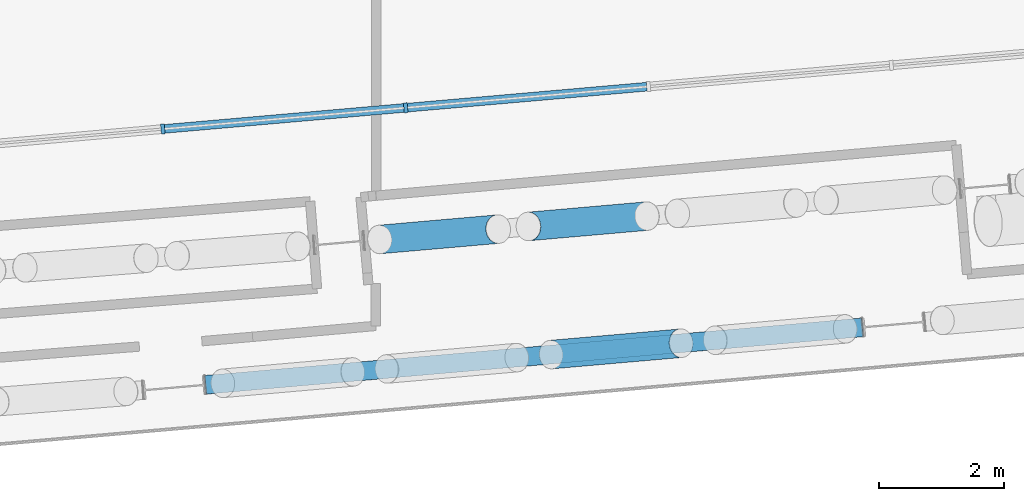
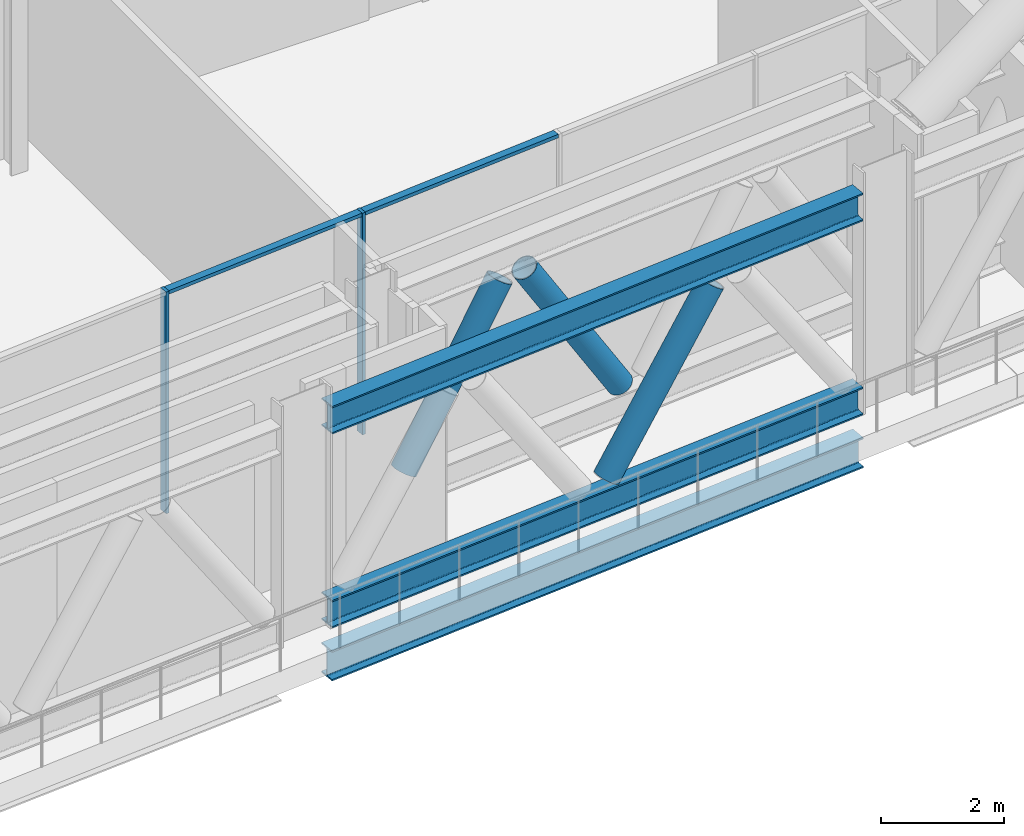
# One storey, part 8 of 39: 9 members, 1 beam, 1 element without a shape of its own.
"""IFC4 building model written with IfcOpenShell, lengths in metres."""

from ifc_helpers import new_model, si_unit, direction, frame, origin, origin_2d, place, context, subcontext, project, spatial, rectangle, hollow_circle, i_section, extrude, material, material_profile, profile_set, type_object, element, aggregate, save


model = new_model("IFC4")

# Units and contexts
model_context = context("Model", 3, precision=1e-05, world=origin(), true_north=direction((0.0, 1.0)))
body_context = subcontext(model_context, "Body", "Model", "MODEL_VIEW")
ifc_project = project(units=[si_unit("LENGTHUNIT", "METRE"), si_unit("AREAUNIT", "SQUARE_METRE"), si_unit("VOLUMEUNIT", "CUBIC_METRE"), si_unit("PLANEANGLEUNIT", "RADIAN"), si_unit("MASSUNIT", "GRAM", prefix="KILO")], contexts=[model_context])

# Site, building, storey
site_placement = place(None, origin())
site = spatial("IfcSite", under=ifc_project, at=site_placement, CompositionType="ELEMENT")
building_placement = place(site_placement, origin())
building = spatial("IfcBuilding", under=site, at=building_placement, Name="Wharfspan Tower", CompositionType="ELEMENT")
storey_placement = place(building_placement, frame((0.0, 0.0, 91.899902)))
storey = spatial("IfcBuildingStorey", under=building, at=storey_placement, Name="L20", CompositionType="ELEMENT", Elevation=91.899902)

# Beam
ifc_material_1 = material(Name="Steel S355J2", Category="steel")
ifc_material_profile_1 = material_profile(ifc_material_1, i_section(OverallWidth=0.300049, OverallDepth=0.600098, WebThickness=0.015381, FlangeThickness=0.030029, FilletRadius=0.0271, at=origin_2d()))
ifc_profile_set_1 = profile_set([ifc_material_profile_1], Name="Steel S355J2")
beam_type = type_object("IfcBeamType", Name="Edge beam HEB 600", PredefinedType="SPANDREL", material=ifc_profile_set_1)
beam_placement = place(storey_placement, frame((57.940674, -2.317383, -0.75), z_axis=(0.996195, 0.087155, 0.0), x_axis=(-0.087155, 0.996195, 0.0)))
element("IfcBeam", 1, at=beam_placement, inside=storey, type_object=beam_type, Name="Edge beam S2 L20 PS2.1 to PS2.2", PredefinedType="SPANDREL", context=body_context, shape_type="SweptSolid", body=[
    extrude(i_section(OverallWidth=0.300049, OverallDepth=0.600098, WebThickness=0.015381, FlangeThickness=0.030029, FilletRadius=0.0271, at=origin_2d()), origin(), (0.0, 0.0, 1.0), 10.543701),
])

# Curtain wall, members
ifc_material_2 = material(Name="Aluminium 6063-T6", Category="aluminium")
curtain_wall_type = type_object("IfcCurtainWallType", Name="CURTAIN WALL BAND RECESS", PredefinedType="NOTDEFINED", material=ifc_material_2)
curtain_wall_placement = place(storey_placement, origin())
curtain_wall = element("IfcCurtainWall", 2, at=curtain_wall_placement, inside=storey, type_object=curtain_wall_type, Name="Recess glazing R5", PredefinedType="NOTDEFINED")
ifc_material_profile_2 = material_profile(ifc_material_2, rectangle(XDim=0.159912, YDim=0.060059, at=origin_2d()))
ifc_profile_set_2 = profile_set([ifc_material_profile_2], Name="Aluminium 6063-T6")
member_type_1 = type_object("IfcMemberType", Name="MULLION BAND RECESS 60x160", PredefinedType="MULLION", material=ifc_profile_set_2)
member_1_placement = place(storey_placement, frame((61.142334, 2.110352, 0.0), z_axis=(0.0, 0.0, 1.0), x_axis=(0.087156, -0.996198, 0.0)))
member_1 = element("IfcMember", 3, at=member_1_placement, type_object=member_type_1, Name="Recess glazing R5 mullion 8", PredefinedType="MULLION", context=body_context, shape_type="SweptSolid", body=[
    extrude(rectangle(XDim=0.159912, YDim=0.060059, at=origin_2d()), origin(), (0.0, 0.0, 1.0), 4.400146),
])
member_2_placement = place(storey_placement, frame((57.261475, 1.770752, 0.0), z_axis=(0.0, 0.0, 1.0), x_axis=(0.087156, -0.996198, 0.0)))
member_2 = element("IfcMember", 4, at=member_2_placement, type_object=member_type_1, Name="Recess glazing R5 mullion 9", PredefinedType="MULLION", context=body_context, shape_type="SweptSolid", body=[
    extrude(rectangle(XDim=0.159912, YDim=0.060059, at=origin_2d()), origin(), (0.0, 0.0, 1.0), 4.400146),
])
ifc_material_profile_3 = material_profile(ifc_material_2, rectangle(XDim=0.139893, YDim=0.070068, at=origin_2d()))
ifc_profile_set_3 = profile_set([ifc_material_profile_3], Name="Aluminium 6063-T6")
member_type_2 = type_object("IfcMemberType", Name="TRANSOM BAND RECESS 70x140", PredefinedType="USERDEFINED", material=ifc_profile_set_3)
member_3_placement = place(storey_placement, frame((64.993164, 2.447021, 4.36499), z_axis=(-0.996196, -0.087138, 0.0), x_axis=(0.087138, -0.996196, 0.0)))
member_3 = element("IfcMember", 5, at=member_3_placement, type_object=member_type_2, Name="Recess glazing R5 transom 7", ObjectType="TRANSOM", PredefinedType="USERDEFINED", context=body_context, shape_type="SweptSolid", body=[
    extrude(rectangle(XDim=0.139893, YDim=0.070068, at=origin_2d()), origin(), (0.0, 0.0, 1.0), 3.835693),
])
member_4_placement = place(storey_placement, frame((61.112305, 2.107666, 4.36499), z_axis=(-0.996196, -0.087143, 0.0), x_axis=(0.087143, -0.996196, 0.0)))
member_4 = element("IfcMember", 6, at=member_4_placement, type_object=member_type_2, Name="Recess glazing R5 transom 8", ObjectType="TRANSOM", PredefinedType="USERDEFINED", context=body_context, shape_type="SweptSolid", body=[
    extrude(rectangle(XDim=0.139893, YDim=0.070068, at=origin_2d()), origin(), (0.0, 0.0, 1.0), 3.835449),
])
aggregate(curtain_wall, [member_1, member_2, member_3, member_4])

# Members
ifc_material_profile_4 = material_profile(ifc_material_1, i_section(OverallWidth=0.300049, OverallDepth=0.550049, WebThickness=0.014893, FlangeThickness=0.029053, FilletRadius=0.0271, at=origin_2d()))
ifc_profile_set_4 = profile_set([ifc_material_profile_4], Name="Steel S355J2")
member_type_3 = type_object("IfcMemberType", Name="Truss chord HEB 550", PredefinedType="CHORD", material=ifc_profile_set_4)
for number, where, z_axis, x_axis, name in (
    (7, (57.94458, -2.316895, 4.125), (0.996195, 0.087151, 0.0), (-0.087151, 0.996195, 0.0), "Belt truss chord T L20 S2 PS2.1.S to PS2.2.S"),
    (8, (57.94458, -2.316895, 0.275146), (0.996195, 0.087151, 0.0), (-0.087151, 0.996195, 0.0), "Belt truss chord B L20 S2 PS2.1.S to PS2.2.S"),
):
    element("IfcMember", number, at=place(storey_placement, frame(where, z_axis=z_axis, x_axis=x_axis)), inside=storey, type_object=member_type_3, Name=name, PredefinedType="CHORD", context=body_context, shape_type="SweptSolid", body=[
        extrude(i_section(OverallWidth=0.300049, OverallDepth=0.550049, WebThickness=0.014893, FlangeThickness=0.029053, FilletRadius=0.0271, at=origin_2d()), origin(), (0.0, 0.0, 1.0), 10.535889),
    ])
ifc_material_3 = material(Name="Steel S460NH", Category="steel")
ifc_material_profile_5 = material_profile(ifc_material_3, hollow_circle(Radius=0.228516, WallThickness=0.016113, at=origin_2d()))
ifc_profile_set_5 = profile_set([ifc_material_profile_5], Name="Steel S460NH")
member_type_4 = type_object("IfcMemberType", Name="Truss diagonal CHS 457x16", PredefinedType="BRACE", material=ifc_profile_set_5)
for number, where, z_axis, x_axis, name in (
    (9, (60.727783, 0.006104, 0.670654), (0.52508, 0.045916, 0.849813), (-0.087113, 0.996195, 0.0), "Belt truss diagonal L20 S2 PS2.1 to PS2.2 1"),
    (10, (63.106445, 0.214111, 3.729736), (0.525079, 0.045983, -0.849811), (-0.087241, 0.996185, -1e-06), "Belt truss diagonal L20 S2 PS2.1 to PS2.2 2"),
):
    element("IfcMember", number, at=place(storey_placement, frame(where, z_axis=z_axis, x_axis=x_axis)), inside=storey, type_object=member_type_4, Name=name, PredefinedType="BRACE", context=body_context, shape_type="SweptSolid", body=[
        extrude(hollow_circle(Radius=0.228516, WallThickness=0.016113, at=origin_2d()), origin(), (0.0, 0.0, 1.0), 3.599609),
    ])
member_5_placement = place(storey_placement, frame((63.467773, -1.83374, 0.679199), z_axis=(0.562498, 0.049215, 0.825333), x_axis=(-0.087159, 0.996192, -1e-06)))
element("IfcMember", 11, at=member_5_placement, inside=storey, type_object=member_type_4, Name="Belt truss diagonal L20 S2 PS2.1.S to PS2.2.S 3", PredefinedType="BRACE", context=body_context, shape_type="SweptSolid", body=[
    extrude(hollow_circle(Radius=0.228516, WallThickness=0.016113, at=origin_2d()), origin(), (0.0, 0.0, 1.0), 3.685791),
])

save(model, "model.ifc")
